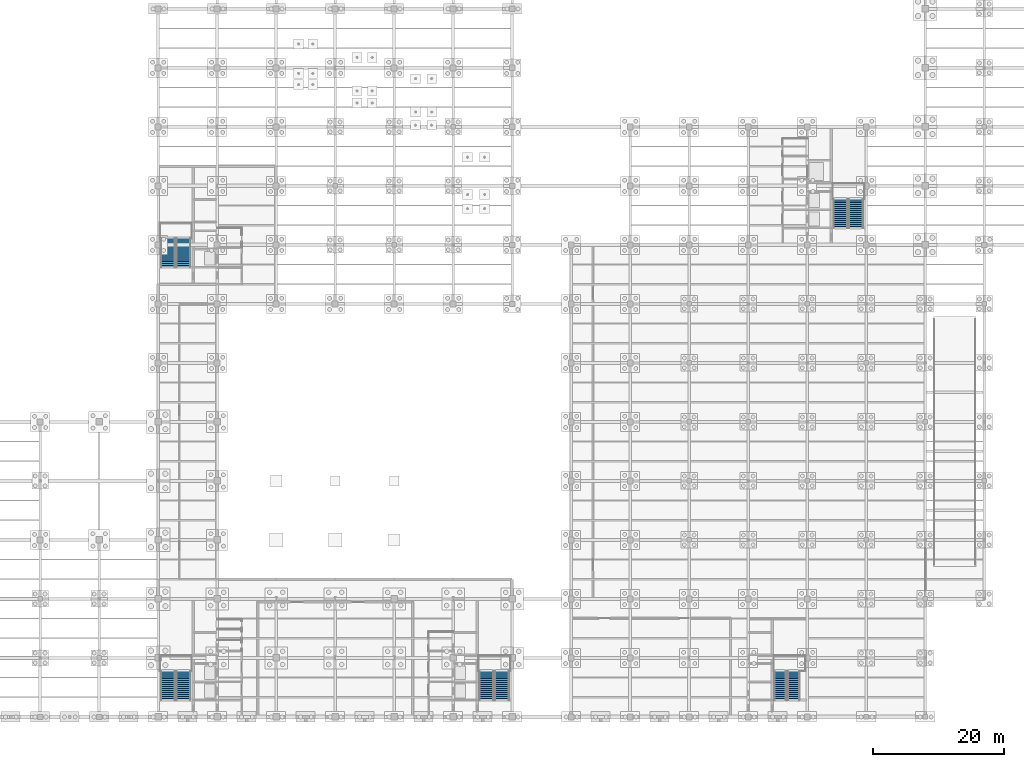
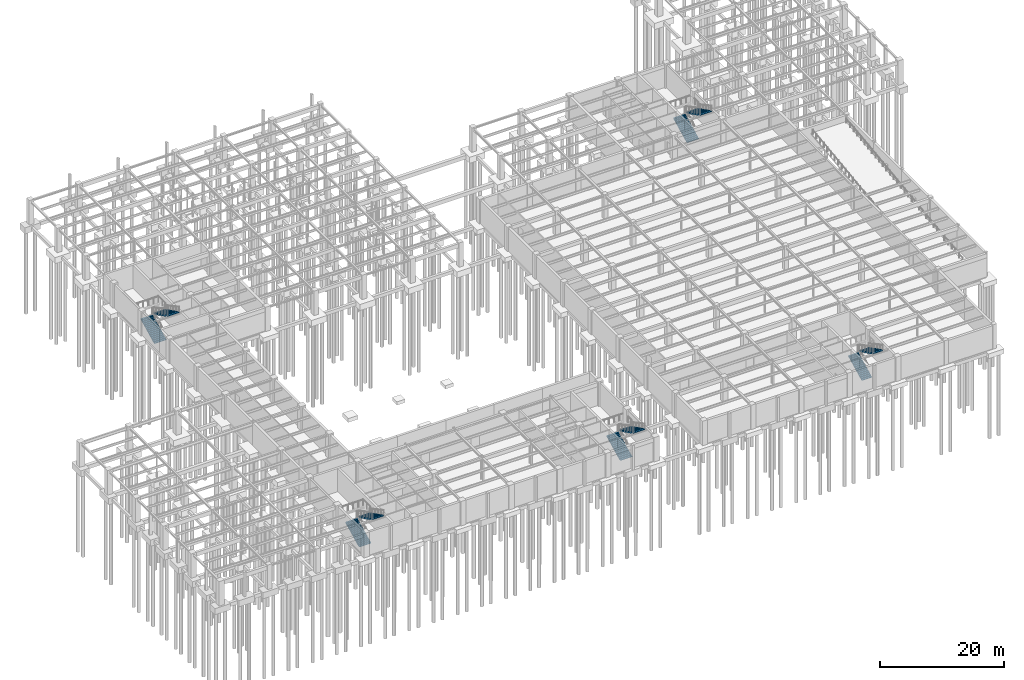
# One storey, part 46 of 49: 10 stair flights, 5 elements without a shape of their own.
"""IFC4 building model written with IfcOpenShell, lengths in metres."""

from ifc_helpers import new_model, si_unit, direction, frame, origin, place, context, subcontext, project, spatial, polyline, outline, extrude, material, layer, layer_set, type_object, element, aggregate, save


model = new_model("IFC4")

# Units and contexts
model_context = context("Model", 3, precision=1e-05, world=origin(), true_north=direction((0.0, 1.0)))
body_context = subcontext(model_context, "Body", "Model", "MODEL_VIEW")
ifc_project = project(units=[si_unit("LENGTHUNIT", "METRE"), si_unit("AREAUNIT", "SQUARE_METRE"), si_unit("VOLUMEUNIT", "CUBIC_METRE"), si_unit("PLANEANGLEUNIT", "RADIAN"), si_unit("MASSUNIT", "GRAM", prefix="KILO")], contexts=[model_context])

# Site, building, storey
site_placement = place(None, origin())
site = spatial("IfcSite", under=ifc_project, at=site_placement, CompositionType="ELEMENT")
building_placement = place(site_placement, origin())
building = spatial("IfcBuilding", under=site, at=building_placement, Name="Lykobir Media Centre", CompositionType="ELEMENT")
storey_placement = place(building_placement, frame((0.0, 0.0, -4.800048828125)))
storey = spatial("IfcBuildingStorey", under=building, at=storey_placement, Name="B1", CompositionType="ELEMENT", Elevation=-4.800048828125)

# Stair, stair flights
ifc_material = material(Name="Concrete C30/37", Category="concrete")
stair_type_1 = type_object("IfcStairType", Name="ST-AUX-480", PredefinedType="HALF_TURN_STAIR", material=ifc_material)
stair_1_placement = place(storey_placement, origin())
stair_1 = element("IfcStair", 1, at=stair_1_placement, inside=storey, type_object=stair_type_1, Name="Escape stair ST-5 B1", PredefinedType="HALF_TURN_STAIR")
ifc_layer_1 = layer(ifc_material, 0.159912109375, Name="Concrete C30/37")
ifc_layer_set_1 = layer_set([ifc_layer_1], Name="Concrete C30/37")
stair_flight_type_1 = type_object("IfcStairFlightType", Name="FL-185-16", PredefinedType="STRAIGHT", material=ifc_layer_set_1)
stair_flight_1_placement = place(storey_placement, frame((121.89501953125, 2.530029296875, 0.0), z_axis=(0.0, 0.0, 1.0), x_axis=(0.0, 1.0, 0.0)))
stair_flight_1 = element("IfcStairFlight", 2, at=stair_flight_1_placement, type_object=stair_flight_type_1, Name="ST-5-B1 flight 1", NumberOfRisers=16, NumberOfTreads=15, PredefinedType="STRAIGHT", RiserHeight=0.15, TreadLength=0.3, context=body_context, shape_type="SweptSolid", body=[
    extrude(outline(polyline([(0.0, 0.0), (0.0, 0.14990234375), (0.300048828125, 0.14990234375), (0.300048828125, 0.300048828125), (0.60009765625, 0.300048828125), (0.60009765625, 0.449951171875), (0.89990234375, 0.449951171875), (0.89990234375, 0.60009765625), (1.199951171875, 0.60009765625), (1.199951171875, 0.75), (1.5, 0.75), (1.5, 0.89990234375), (1.800048828125, 0.89990234375), (1.800048828125, 1.050048828125), (2.10009765625, 1.050048828125), (2.10009765625, 1.199951171875), (2.39990234375, 1.199951171875), (2.39990234375, 1.35009765625), (2.699951171875, 1.35009765625), (2.699951171875, 1.5), (3.0, 1.5), (3.0, 1.64990234375), (3.300048828125, 1.64990234375), (3.300048828125, 1.800048828125), (3.60009765625, 1.800048828125), (3.60009765625, 1.949951171875), (3.89990234375, 1.949951171875), (3.89990234375, 2.10009765625), (4.199951171875, 2.10009765625), (4.199951171875, 2.25), (4.5, 2.25), (4.5, 2.39990234375), (4.5, 2.0712890625), (0.357666015625, 0.0), (0.0, 0.0)])), frame((0.0, 0.925048828125, 0.0), z_axis=(0.0, -1.0, 0.0), x_axis=(1.0, 0.0, 0.0)), (0.0, 0.0, 1.0), 1.85009765625),
])
stair_flight_2_placement = place(storey_placement, frame((123.945068359375, 7.030029296875, 2.400146484375), z_axis=(0.0, 0.0, 1.0), x_axis=(0.0, -1.0, 0.0)))
stair_flight_2 = element("IfcStairFlight", 3, at=stair_flight_2_placement, type_object=stair_flight_type_1, Name="ST-5-B1 flight 2", NumberOfRisers=16, NumberOfTreads=15, PredefinedType="STRAIGHT", RiserHeight=0.15, TreadLength=0.3, context=body_context, shape_type="SweptSolid", body=[
    extrude(outline(polyline([(0.0, 0.0), (0.0, 0.14990234375), (0.300048828125, 0.14990234375), (0.300048828125, 0.300048828125), (0.60009765625, 0.300048828125), (0.60009765625, 0.449951171875), (0.89990234375, 0.449951171875), (0.89990234375, 0.60009765625), (1.199951171875, 0.60009765625), (1.199951171875, 0.75), (1.5, 0.75), (1.5, 0.89990234375), (1.800048828125, 0.89990234375), (1.800048828125, 1.050048828125), (2.10009765625, 1.050048828125), (2.10009765625, 1.199951171875), (2.39990234375, 1.199951171875), (2.39990234375, 1.35009765625), (2.699951171875, 1.35009765625), (2.699951171875, 1.5), (3.0, 1.5), (3.0, 1.64990234375), (3.300048828125, 1.64990234375), (3.300048828125, 1.800048828125), (3.60009765625, 1.800048828125), (3.60009765625, 1.949951171875), (3.89990234375, 1.949951171875), (3.89990234375, 2.10009765625), (4.199951171875, 2.10009765625), (4.199951171875, 2.25), (4.5, 2.25), (4.5, 2.39990234375), (4.5, 2.0712890625), (0.357666015625, 0.0), (0.0, 0.0)])), frame((0.0, 0.925048828125, 0.0), z_axis=(0.0, -1.0, 0.0), x_axis=(1.0, 0.0, 0.0)), (0.0, 0.0, 1.0), 1.85009765625),
])
aggregate(stair_1, [stair_flight_1, stair_flight_2])

stair_type_2 = type_object("IfcStairType", Name="ST-HT-480", PredefinedType="HALF_TURN_STAIR", material=ifc_material)
stair_2_placement = place(storey_placement, origin())
stair_2 = element("IfcStair", 4, at=stair_2_placement, inside=storey, type_object=stair_type_2, Name="Escape stair ST-1 B1", PredefinedType="HALF_TURN_STAIR")
ifc_layer_2 = layer(ifc_material, 0.159912109375, Name="Concrete C30/37")
ifc_layer_set_2 = layer_set([ifc_layer_2], Name="Concrete C30/37")
stair_flight_type_2 = type_object("IfcStairFlightType", Name="FL-220-16", PredefinedType="STRAIGHT", material=ifc_layer_set_2)
stair_flight_3_placement = place(storey_placement, frame((28.469970703125, 2.530029296875, 0.0), z_axis=(0.0, 0.0, 1.0), x_axis=(0.0, 1.0, 0.0)))
stair_flight_3 = element("IfcStairFlight", 5, at=stair_flight_3_placement, type_object=stair_flight_type_2, Name="ST-1-B1 flight 1", NumberOfRisers=16, NumberOfTreads=15, PredefinedType="STRAIGHT", RiserHeight=0.15, TreadLength=0.3, context=body_context, shape_type="SweptSolid", body=[
    extrude(outline(polyline([(0.0, 0.0), (0.0, 0.14990234375), (0.300048828125, 0.14990234375), (0.300048828125, 0.300048828125), (0.60009765625, 0.300048828125), (0.60009765625, 0.449951171875), (0.89990234375, 0.449951171875), (0.89990234375, 0.60009765625), (1.199951171875, 0.60009765625), (1.199951171875, 0.75), (1.5, 0.75), (1.5, 0.89990234375), (1.800048828125, 0.89990234375), (1.800048828125, 1.050048828125), (2.10009765625, 1.050048828125), (2.10009765625, 1.199951171875), (2.39990234375, 1.199951171875), (2.39990234375, 1.35009765625), (2.699951171875, 1.35009765625), (2.699951171875, 1.5), (3.0, 1.5), (3.0, 1.64990234375), (3.300048828125, 1.64990234375), (3.300048828125, 1.800048828125), (3.60009765625, 1.800048828125), (3.60009765625, 1.949951171875), (3.89990234375, 1.949951171875), (3.89990234375, 2.10009765625), (4.199951171875, 2.10009765625), (4.199951171875, 2.25), (4.5, 2.25), (4.5, 2.39990234375), (4.5, 2.0712890625), (0.357666015625, 0.0), (0.0, 0.0)])), frame((0.0, 1.10009765625, 0.0), z_axis=(0.0, -1.0, 0.0), x_axis=(1.0, 0.0, 0.0)), (0.0, 0.0, 1.0), 2.199951171875),
])
stair_flight_4_placement = place(storey_placement, frame((30.8701171875, 7.030029296875, 2.400146484375), z_axis=(0.0, 0.0, 1.0), x_axis=(0.0, -1.0, 0.0)))
stair_flight_4 = element("IfcStairFlight", 6, at=stair_flight_4_placement, type_object=stair_flight_type_2, Name="ST-1-B1 flight 2", NumberOfRisers=16, NumberOfTreads=15, PredefinedType="STRAIGHT", RiserHeight=0.15, TreadLength=0.3, context=body_context, shape_type="SweptSolid", body=[
    extrude(outline(polyline([(0.0, 0.0), (0.0, 0.14990234375), (0.300048828125, 0.14990234375), (0.300048828125, 0.300048828125), (0.60009765625, 0.300048828125), (0.60009765625, 0.449951171875), (0.89990234375, 0.449951171875), (0.89990234375, 0.60009765625), (1.199951171875, 0.60009765625), (1.199951171875, 0.75), (1.5, 0.75), (1.5, 0.89990234375), (1.800048828125, 0.89990234375), (1.800048828125, 1.050048828125), (2.10009765625, 1.050048828125), (2.10009765625, 1.199951171875), (2.39990234375, 1.199951171875), (2.39990234375, 1.35009765625), (2.699951171875, 1.35009765625), (2.699951171875, 1.5), (3.0, 1.5), (3.0, 1.64990234375), (3.300048828125, 1.64990234375), (3.300048828125, 1.800048828125), (3.60009765625, 1.800048828125), (3.60009765625, 1.949951171875), (3.89990234375, 1.949951171875), (3.89990234375, 2.10009765625), (4.199951171875, 2.10009765625), (4.199951171875, 2.25), (4.5, 2.25), (4.5, 2.39990234375), (4.5, 2.0712890625), (0.357666015625, 0.0), (0.0, 0.0)])), frame((0.0, 1.10009765625, 0.0), z_axis=(0.0, -1.0, 0.0), x_axis=(1.0, 0.0, 0.0)), (0.0, 0.0, 1.0), 2.199951171875),
])
aggregate(stair_2, [stair_flight_3, stair_flight_4])

stair_3_placement = place(storey_placement, origin())
stair_3 = element("IfcStair", 7, at=stair_3_placement, inside=storey, type_object=stair_type_2, Name="Escape stair ST-2 B1", PredefinedType="HALF_TURN_STAIR")
stair_flight_5_placement = place(storey_placement, frame((77.070068359375, 2.530029296875, 0.0), z_axis=(0.0, 0.0, 1.0), x_axis=(0.0, 1.0, 0.0)))
stair_flight_5 = element("IfcStairFlight", 8, at=stair_flight_5_placement, type_object=stair_flight_type_2, Name="ST-2-B1 flight 1", NumberOfRisers=16, NumberOfTreads=15, PredefinedType="STRAIGHT", RiserHeight=0.15, TreadLength=0.3, context=body_context, shape_type="SweptSolid", body=[
    extrude(outline(polyline([(0.0, 0.0), (0.0, 0.14990234375), (0.300048828125, 0.14990234375), (0.300048828125, 0.300048828125), (0.60009765625, 0.300048828125), (0.60009765625, 0.449951171875), (0.89990234375, 0.449951171875), (0.89990234375, 0.60009765625), (1.199951171875, 0.60009765625), (1.199951171875, 0.75), (1.5, 0.75), (1.5, 0.89990234375), (1.800048828125, 0.89990234375), (1.800048828125, 1.050048828125), (2.10009765625, 1.050048828125), (2.10009765625, 1.199951171875), (2.39990234375, 1.199951171875), (2.39990234375, 1.35009765625), (2.699951171875, 1.35009765625), (2.699951171875, 1.5), (3.0, 1.5), (3.0, 1.64990234375), (3.300048828125, 1.64990234375), (3.300048828125, 1.800048828125), (3.60009765625, 1.800048828125), (3.60009765625, 1.949951171875), (3.89990234375, 1.949951171875), (3.89990234375, 2.10009765625), (4.199951171875, 2.10009765625), (4.199951171875, 2.25), (4.5, 2.25), (4.5, 2.39990234375), (4.5, 2.0712890625), (0.357666015625, 0.0), (0.0, 0.0)])), frame((0.0, 1.10009765625, 0.0), z_axis=(0.0, -1.0, 0.0), x_axis=(1.0, 0.0, 0.0)), (0.0, 0.0, 1.0), 2.199951171875),
])
stair_flight_6_placement = place(storey_placement, frame((79.469970703125, 7.030029296875, 2.400146484375), z_axis=(0.0, 0.0, 1.0), x_axis=(0.0, -1.0, 0.0)))
stair_flight_6 = element("IfcStairFlight", 9, at=stair_flight_6_placement, type_object=stair_flight_type_2, Name="ST-2-B1 flight 2", NumberOfRisers=16, NumberOfTreads=15, PredefinedType="STRAIGHT", RiserHeight=0.15, TreadLength=0.3, context=body_context, shape_type="SweptSolid", body=[
    extrude(outline(polyline([(0.0, 0.0), (0.0, 0.14990234375), (0.300048828125, 0.14990234375), (0.300048828125, 0.300048828125), (0.60009765625, 0.300048828125), (0.60009765625, 0.449951171875), (0.89990234375, 0.449951171875), (0.89990234375, 0.60009765625), (1.199951171875, 0.60009765625), (1.199951171875, 0.75), (1.5, 0.75), (1.5, 0.89990234375), (1.800048828125, 0.89990234375), (1.800048828125, 1.050048828125), (2.10009765625, 1.050048828125), (2.10009765625, 1.199951171875), (2.39990234375, 1.199951171875), (2.39990234375, 1.35009765625), (2.699951171875, 1.35009765625), (2.699951171875, 1.5), (3.0, 1.5), (3.0, 1.64990234375), (3.300048828125, 1.64990234375), (3.300048828125, 1.800048828125), (3.60009765625, 1.800048828125), (3.60009765625, 1.949951171875), (3.89990234375, 1.949951171875), (3.89990234375, 2.10009765625), (4.199951171875, 2.10009765625), (4.199951171875, 2.25), (4.5, 2.25), (4.5, 2.39990234375), (4.5, 2.0712890625), (0.357666015625, 0.0), (0.0, 0.0)])), frame((0.0, 1.10009765625, 0.0), z_axis=(0.0, -1.0, 0.0), x_axis=(1.0, 0.0, 0.0)), (0.0, 0.0, 1.0), 2.199951171875),
])
aggregate(stair_3, [stair_flight_5, stair_flight_6])

stair_4_placement = place(storey_placement, origin())
stair_4 = element("IfcStair", 10, at=stair_4_placement, inside=storey, type_object=stair_type_2, Name="Escape stair ST-3 B1", PredefinedType="HALF_TURN_STAIR")
stair_flight_7_placement = place(storey_placement, frame((28.469970703125, 68.530029296875, 0.0), z_axis=(0.0, 0.0, 1.0), x_axis=(0.0, 1.0, 0.0)))
stair_flight_7 = element("IfcStairFlight", 11, at=stair_flight_7_placement, type_object=stair_flight_type_2, Name="ST-3-B1 flight 1", NumberOfRisers=16, NumberOfTreads=15, PredefinedType="STRAIGHT", RiserHeight=0.15, TreadLength=0.3, context=body_context, shape_type="SweptSolid", body=[
    extrude(outline(polyline([(0.0, 0.0), (0.0, 0.14990234375), (0.300048828125, 0.14990234375), (0.300048828125, 0.300048828125), (0.60009765625, 0.300048828125), (0.60009765625, 0.449951171875), (0.89990234375, 0.449951171875), (0.89990234375, 0.60009765625), (1.199951171875, 0.60009765625), (1.199951171875, 0.75), (1.5, 0.75), (1.5, 0.89990234375), (1.800048828125, 0.89990234375), (1.800048828125, 1.050048828125), (2.10009765625, 1.050048828125), (2.10009765625, 1.199951171875), (2.39990234375, 1.199951171875), (2.39990234375, 1.35009765625), (2.699951171875, 1.35009765625), (2.699951171875, 1.5), (3.0, 1.5), (3.0, 1.64990234375), (3.300048828125, 1.64990234375), (3.300048828125, 1.800048828125), (3.60009765625, 1.800048828125), (3.60009765625, 1.949951171875), (3.89990234375, 1.949951171875), (3.89990234375, 2.10009765625), (4.199951171875, 2.10009765625), (4.199951171875, 2.25), (4.5, 2.25), (4.5, 2.39990234375), (4.5, 2.0712890625), (0.357666015625, 0.0), (0.0, 0.0)])), frame((0.0, 1.10009765625, 0.0), z_axis=(0.0, -1.0, 0.0), x_axis=(1.0, 0.0, 0.0)), (0.0, 0.0, 1.0), 2.199951171875),
])
stair_flight_8_placement = place(storey_placement, frame((30.8701171875, 73.030029296875, 2.400146484375), z_axis=(0.0, 0.0, 1.0), x_axis=(0.0, -1.0, 0.0)))
stair_flight_8 = element("IfcStairFlight", 12, at=stair_flight_8_placement, type_object=stair_flight_type_2, Name="ST-3-B1 flight 2", NumberOfRisers=16, NumberOfTreads=15, PredefinedType="STRAIGHT", RiserHeight=0.15, TreadLength=0.3, context=body_context, shape_type="SweptSolid", body=[
    extrude(outline(polyline([(0.0, 0.0), (0.0, 0.14990234375), (0.300048828125, 0.14990234375), (0.300048828125, 0.300048828125), (0.60009765625, 0.300048828125), (0.60009765625, 0.449951171875), (0.89990234375, 0.449951171875), (0.89990234375, 0.60009765625), (1.199951171875, 0.60009765625), (1.199951171875, 0.75), (1.5, 0.75), (1.5, 0.89990234375), (1.800048828125, 0.89990234375), (1.800048828125, 1.050048828125), (2.10009765625, 1.050048828125), (2.10009765625, 1.199951171875), (2.39990234375, 1.199951171875), (2.39990234375, 1.35009765625), (2.699951171875, 1.35009765625), (2.699951171875, 1.5), (3.0, 1.5), (3.0, 1.64990234375), (3.300048828125, 1.64990234375), (3.300048828125, 1.800048828125), (3.60009765625, 1.800048828125), (3.60009765625, 1.949951171875), (3.89990234375, 1.949951171875), (3.89990234375, 2.10009765625), (4.199951171875, 2.10009765625), (4.199951171875, 2.25), (4.5, 2.25), (4.5, 2.39990234375), (4.5, 2.0712890625), (0.357666015625, 0.0), (0.0, 0.0)])), frame((0.0, 1.10009765625, 0.0), z_axis=(0.0, -1.0, 0.0), x_axis=(1.0, 0.0, 0.0)), (0.0, 0.0, 1.0), 2.199951171875),
])
aggregate(stair_4, [stair_flight_7, stair_flight_8])

stair_5_placement = place(storey_placement, origin())
stair_5 = element("IfcStair", 13, at=stair_5_placement, inside=storey, type_object=stair_type_2, Name="Escape stair ST-4 B1", PredefinedType="HALF_TURN_STAIR")
stair_flight_9_placement = place(storey_placement, frame((131.070068359375, 74.530029296875, 0.0), z_axis=(0.0, 0.0, 1.0), x_axis=(0.0, 1.0, 0.0)))
stair_flight_9 = element("IfcStairFlight", 14, at=stair_flight_9_placement, type_object=stair_flight_type_2, Name="ST-4-B1 flight 1", NumberOfRisers=16, NumberOfTreads=15, PredefinedType="STRAIGHT", RiserHeight=0.15, TreadLength=0.3, context=body_context, shape_type="SweptSolid", body=[
    extrude(outline(polyline([(0.0, 0.0), (0.0, 0.14990234375), (0.300048828125, 0.14990234375), (0.300048828125, 0.300048828125), (0.60009765625, 0.300048828125), (0.60009765625, 0.449951171875), (0.89990234375, 0.449951171875), (0.89990234375, 0.60009765625), (1.199951171875, 0.60009765625), (1.199951171875, 0.75), (1.5, 0.75), (1.5, 0.89990234375), (1.800048828125, 0.89990234375), (1.800048828125, 1.050048828125), (2.10009765625, 1.050048828125), (2.10009765625, 1.199951171875), (2.39990234375, 1.199951171875), (2.39990234375, 1.35009765625), (2.699951171875, 1.35009765625), (2.699951171875, 1.5), (3.0, 1.5), (3.0, 1.64990234375), (3.300048828125, 1.64990234375), (3.300048828125, 1.800048828125), (3.60009765625, 1.800048828125), (3.60009765625, 1.949951171875), (3.89990234375, 1.949951171875), (3.89990234375, 2.10009765625), (4.199951171875, 2.10009765625), (4.199951171875, 2.25), (4.5, 2.25), (4.5, 2.39990234375), (4.5, 2.0712890625), (0.357666015625, 0.0), (0.0, 0.0)])), frame((0.0, 1.10009765625, 0.0), z_axis=(0.0, -1.0, 0.0), x_axis=(1.0, 0.0, 0.0)), (0.0, 0.0, 1.0), 2.199951171875),
])
stair_flight_10_placement = place(storey_placement, frame((133.469970703125, 79.030029296875, 2.400146484375), z_axis=(0.0, 0.0, 1.0), x_axis=(0.0, -1.0, 0.0)))
stair_flight_10 = element("IfcStairFlight", 15, at=stair_flight_10_placement, type_object=stair_flight_type_2, Name="ST-4-B1 flight 2", NumberOfRisers=16, NumberOfTreads=15, PredefinedType="STRAIGHT", RiserHeight=0.15, TreadLength=0.3, context=body_context, shape_type="SweptSolid", body=[
    extrude(outline(polyline([(0.0, 0.0), (0.0, 0.14990234375), (0.300048828125, 0.14990234375), (0.300048828125, 0.300048828125), (0.60009765625, 0.300048828125), (0.60009765625, 0.449951171875), (0.89990234375, 0.449951171875), (0.89990234375, 0.60009765625), (1.199951171875, 0.60009765625), (1.199951171875, 0.75), (1.5, 0.75), (1.5, 0.89990234375), (1.800048828125, 0.89990234375), (1.800048828125, 1.050048828125), (2.10009765625, 1.050048828125), (2.10009765625, 1.199951171875), (2.39990234375, 1.199951171875), (2.39990234375, 1.35009765625), (2.699951171875, 1.35009765625), (2.699951171875, 1.5), (3.0, 1.5), (3.0, 1.64990234375), (3.300048828125, 1.64990234375), (3.300048828125, 1.800048828125), (3.60009765625, 1.800048828125), (3.60009765625, 1.949951171875), (3.89990234375, 1.949951171875), (3.89990234375, 2.10009765625), (4.199951171875, 2.10009765625), (4.199951171875, 2.25), (4.5, 2.25), (4.5, 2.39990234375), (4.5, 2.0712890625), (0.357666015625, 0.0), (0.0, 0.0)])), frame((0.0, 1.10009765625, 0.0), z_axis=(0.0, -1.0, 0.0), x_axis=(1.0, 0.0, 0.0)), (0.0, 0.0, 1.0), 2.199951171875),
])
aggregate(stair_5, [stair_flight_9, stair_flight_10])

save(model, "model.ifc")
